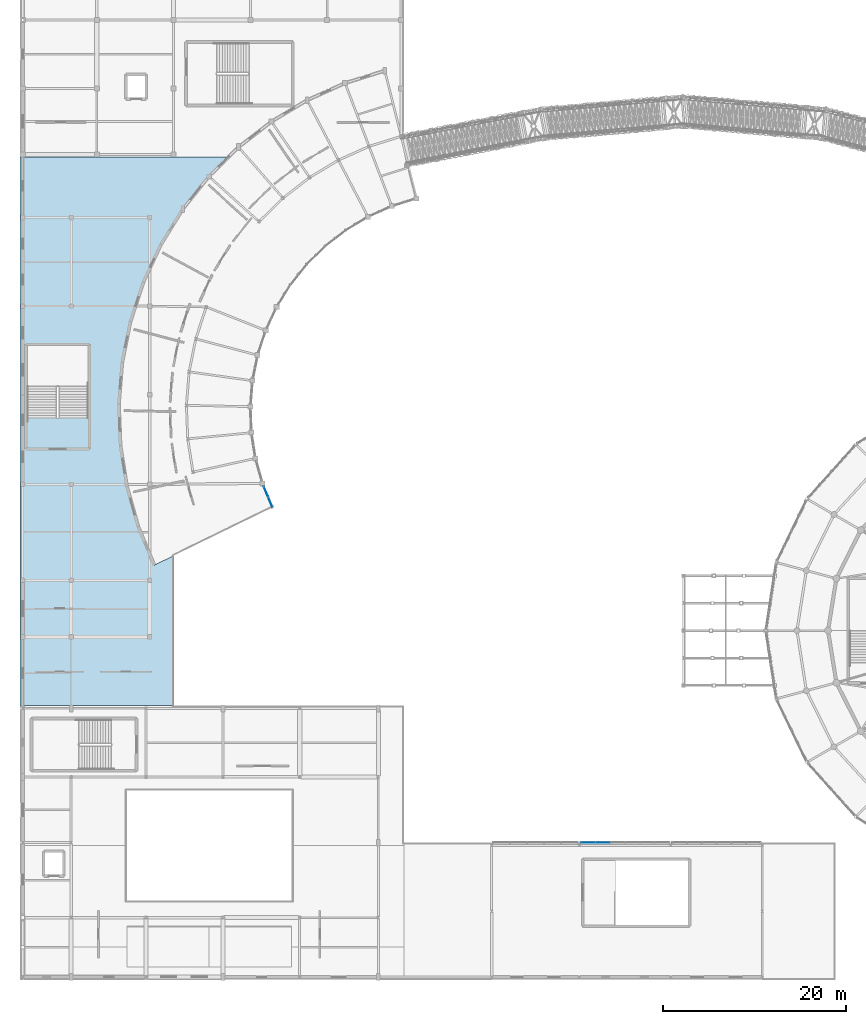
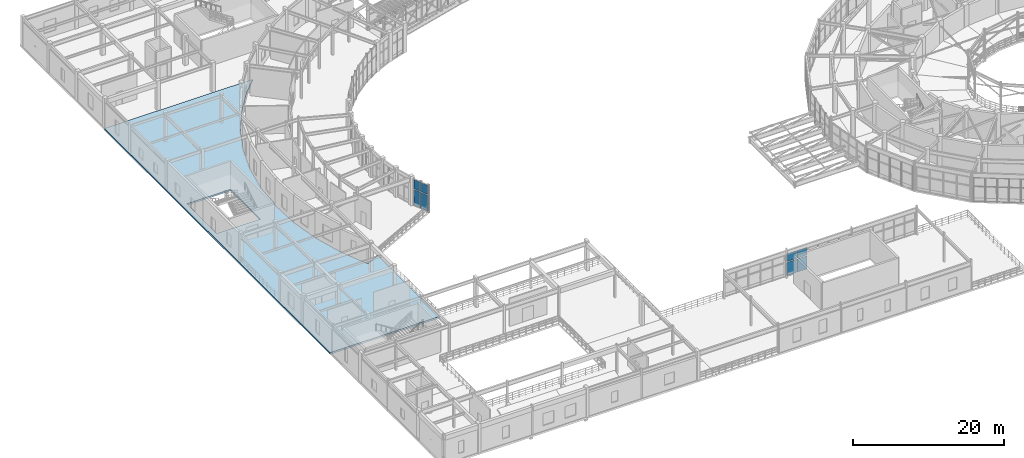
# One storey, part 80 of 144: 8 plates, 1 slab, 2 elements without a shape of their own.
"""IFC4 building model written with IfcOpenShell, lengths in metres."""

from ifc_helpers import new_model, si_unit, direction, frame, origin, origin_2d, place, context, subcontext, project, spatial, polyline, rectangle, outline, extrude, material, layer, layer_set, type_object, element, aggregate, save


model = new_model("IFC4")

# Units and contexts
model_context = context("Model", 3, precision=1e-05, world=origin(), true_north=direction((0.0, 1.0)))
body_context = subcontext(model_context, "Body", "Model", "MODEL_VIEW")
ifc_project = project(units=[si_unit("LENGTHUNIT", "METRE"), si_unit("AREAUNIT", "SQUARE_METRE"), si_unit("VOLUMEUNIT", "CUBIC_METRE"), si_unit("PLANEANGLEUNIT", "RADIAN"), si_unit("MASSUNIT", "GRAM", prefix="KILO")], contexts=[model_context])

# Site, building, storey
site_placement = place(None, origin())
site = spatial("IfcSite", under=ifc_project, at=site_placement, CompositionType="ELEMENT")
building_placement = place(site_placement, origin())
building = spatial("IfcBuilding", under=site, at=building_placement, Name="Cinderbank Siding Concert Hall", CompositionType="ELEMENT")
storey_placement = place(building_placement, frame((0.0, 0.0, 5.39990234375)))
storey = spatial("IfcBuildingStorey", under=building, at=storey_placement, Name="L02", CompositionType="ELEMENT", Elevation=5.39990234375)

# Curtain wall, plates
ifc_material_1 = material(Name="Anodised aluminium alloy 6063-T6", Category="aluminium")
curtain_wall_type_1 = type_object("IfcCurtainWallType", Name="CW-13 Unitised Acoustic Curtain Wall 4200x4400", PredefinedType="NOTDEFINED", material=ifc_material_1)
curtain_wall_1_placement = place(storey_placement, origin())
curtain_wall_1 = element("IfcCurtainWall", 1, at=curtain_wall_1_placement, inside=storey, type_object=curtain_wall_type_1, Name="L02 Curtain Wall CW-13 #122", PredefinedType="NOTDEFINED")
ifc_material_2 = material(Name="Double-glazed laminated acoustic glass", Category="glass")
ifc_layer_1 = layer(ifc_material_2, 0.035888671875)
ifc_layer_set_1 = layer_set([ifc_layer_1], Name="Double-glazed laminated acoustic glass")
plate_type_1 = type_object("IfcPlateType", Name="CP-03 Glazed Curtain Panel 1600x2100", PredefinedType="CURTAIN_PANEL", material=ifc_layer_set_1)
plate_1_placement = place(storey_placement, frame((33.70654296875, 59.21484375, 0.1201171875), z_axis=(0.0, 0.0, 1.0), x_axis=(0.384273632219, -0.923219245673, 0.0)))
plate_1 = element("IfcPlate", 2, at=plate_1_placement, type_object=plate_type_1, Name="CW-L02-122 Glazed Panel 0-0", PredefinedType="CURTAIN_PANEL", context=body_context, shape_type="SweptSolid", body=[
    extrude(rectangle(XDim=1.1533203125, YDim=0.035888671875, at=origin_2d()), origin(), (0.0, 0.0, 1.0), 2.548095703125),
])
plate_2_placement = place(storey_placement, frame((33.70654296875, 59.21484375, 2.7880859375), z_axis=(0.0, 0.0, 1.0), x_axis=(0.384273632219, -0.923219245673, 0.0)))
plate_2 = element("IfcPlate", 3, at=plate_2_placement, type_object=plate_type_1, Name="CW-L02-122 Glazed Panel 0-1", PredefinedType="CURTAIN_PANEL", context=body_context, shape_type="SweptSolid", body=[
    extrude(rectangle(XDim=1.1533203125, YDim=0.035888671875, at=origin_2d()), origin(), (0.0, 0.0, 1.0), 1.491943359375),
])
plate_3_placement = place(storey_placement, frame((34.18798828125, 58.0576171875, 0.1201171875), z_axis=(0.0, 0.0, 1.0), x_axis=(0.384273632219, -0.923219245673, 0.0)))
plate_3 = element("IfcPlate", 4, at=plate_3_placement, type_object=plate_type_1, Name="CW-L02-122 Glazed Panel 1-0", PredefinedType="CURTAIN_PANEL", context=body_context, shape_type="SweptSolid", body=[
    extrude(rectangle(XDim=1.1533203125, YDim=0.035888671875, at=origin_2d()), origin(), (0.0, 0.0, 1.0), 2.548095703125),
])
plate_4_placement = place(storey_placement, frame((34.18798828125, 58.0576171875, 2.7880859375), z_axis=(0.0, 0.0, 1.0), x_axis=(0.384273632219, -0.923219245673, 0.0)))
plate_4 = element("IfcPlate", 5, at=plate_4_placement, type_object=plate_type_1, Name="CW-L02-122 Glazed Panel 1-1", PredefinedType="CURTAIN_PANEL", context=body_context, shape_type="SweptSolid", body=[
    extrude(rectangle(XDim=1.1533203125, YDim=0.035888671875, at=origin_2d()), origin(), (0.0, 0.0, 1.0), 1.491943359375),
])
aggregate(curtain_wall_1, [plate_1, plate_2, plate_3, plate_4])

curtain_wall_type_2 = type_object("IfcCurtainWallType", Name="CW-16 Unitised Acoustic Curtain Wall 9200x3800", PredefinedType="NOTDEFINED", material=ifc_material_1)
curtain_wall_2_placement = place(storey_placement, origin())
curtain_wall_2 = element("IfcCurtainWall", 6, at=curtain_wall_2_placement, inside=storey, type_object=curtain_wall_type_2, Name="L02 Curtain Wall CW-16 #142", PredefinedType="NOTDEFINED")
ifc_layer_2 = layer(ifc_material_2, 0.033935546875)
ifc_layer_set_2 = layer_set([ifc_layer_2], Name="Double-glazed laminated acoustic glass")
plate_type_2 = type_object("IfcPlateType", Name="CP-07 Glazed Curtain Panel 1500x1750", PredefinedType="CURTAIN_PANEL", material=ifc_layer_set_2)
plate_5_placement = place(storey_placement, frame((68.972900390625, 20.800048828125, 0.1201171875), z_axis=(0.0, 0.0, 1.0), x_axis=(1.0, 0.0, 0.0)))
plate_5 = element("IfcPlate", 7, at=plate_5_placement, type_object=plate_type_2, Name="CW-L02-142 Glazed Panel 0-0", PredefinedType="CURTAIN_PANEL", context=body_context, shape_type="SweptSolid", body=[
    extrude(rectangle(XDim=1.5107421875, YDim=0.035888671875, at=origin_2d()), origin(), (0.0, 0.0, 1.0), 2.136962890625),
])
plate_6_placement = place(storey_placement, frame((68.972900390625, 20.800048828125, 2.376953125), z_axis=(0.0, 0.0, 1.0), x_axis=(1.0, 0.0, 0.0)))
plate_6 = element("IfcPlate", 8, at=plate_6_placement, type_object=plate_type_2, Name="CW-L02-142 Glazed Panel 0-1", PredefinedType="CURTAIN_PANEL", context=body_context, shape_type="SweptSolid", body=[
    extrude(rectangle(XDim=1.5107421875, YDim=0.035888671875, at=origin_2d()), origin(), (0.0, 0.0, 1.0), 1.239990234375),
])
plate_7_placement = place(storey_placement, frame((70.583740234375, 20.800048828125, 0.1201171875), z_axis=(0.0, 0.0, 1.0), x_axis=(1.0, 0.0, 0.0)))
plate_7 = element("IfcPlate", 9, at=plate_7_placement, type_object=plate_type_2, Name="CW-L02-142 Glazed Panel 1-0", PredefinedType="CURTAIN_PANEL", context=body_context, shape_type="SweptSolid", body=[
    extrude(rectangle(XDim=1.5107421875, YDim=0.035888671875, at=origin_2d()), origin(), (0.0, 0.0, 1.0), 2.136962890625),
])
plate_8_placement = place(storey_placement, frame((70.583740234375, 20.800048828125, 2.376953125), z_axis=(0.0, 0.0, 1.0), x_axis=(1.0, 0.0, 0.0)))
plate_8 = element("IfcPlate", 10, at=plate_8_placement, type_object=plate_type_2, Name="CW-L02-142 Glazed Panel 1-1", PredefinedType="CURTAIN_PANEL", context=body_context, shape_type="SweptSolid", body=[
    extrude(rectangle(XDim=1.5107421875, YDim=0.035888671875, at=origin_2d()), origin(), (0.0, 0.0, 1.0), 1.239990234375),
])
aggregate(curtain_wall_2, [plate_5, plate_6, plate_7, plate_8])

# Slab
ifc_material_3 = material(Name="Reinforced concrete AS 3600 N50 (50 MPa)", Category="concrete")
ifc_layer_3 = layer(ifc_material_3, 0.260009765625)
ifc_layer_set_3 = layer_set([ifc_layer_3], Name="Reinforced concrete AS 3600 N50 (50 MPa)")
slab_type = type_object("IfcSlabType", Name="SL-03 Slab 260mm", PredefinedType="FLOOR", material=ifc_layer_set_3)
slab_placement = place(storey_placement, frame((0.0, 0.0, -0.260009765625)))
element("IfcSlab", 11, at=slab_placement, inside=storey, type_object=slab_type, Name="L02 WL Slab", PredefinedType="FLOOR", context=body_context, shape_type="SweptSolid", body=[
    extrude(outline(polyline([(6.800048828125, 95.800048828125), (29.59814453125, 95.800048828125), (27.463134765625, 93.694580078125), (24.62158203125, 90.135009765625), (22.221435546875, 86.263916015625), (20.296630859375, 82.135986328125), (18.8740234375, 77.80908203125), (17.9736328125, 73.34423828125), (17.6083984375, 68.80419921875), (17.783203125, 64.252685546875), (18.495849609375, 59.754150390625), (19.73583984375, 55.37158203125), (21.486328125, 51.16650390625), (23.60009765625, 52.197509765625), (23.60009765625, 35.800048828125), (6.800048828125, 35.800048828125), (6.800048828125, 95.800048828125)]), holes=[polyline([(14.260009765625, 67.25), (14.260009765625, 75.199951171875), (7.60009765625, 75.199951171875), (7.60009765625, 67.25), (14.260009765625, 67.25)])]), origin(), (0.0, 0.0, 1.0), 0.260009765625),
])

save(model, "model.ifc")
